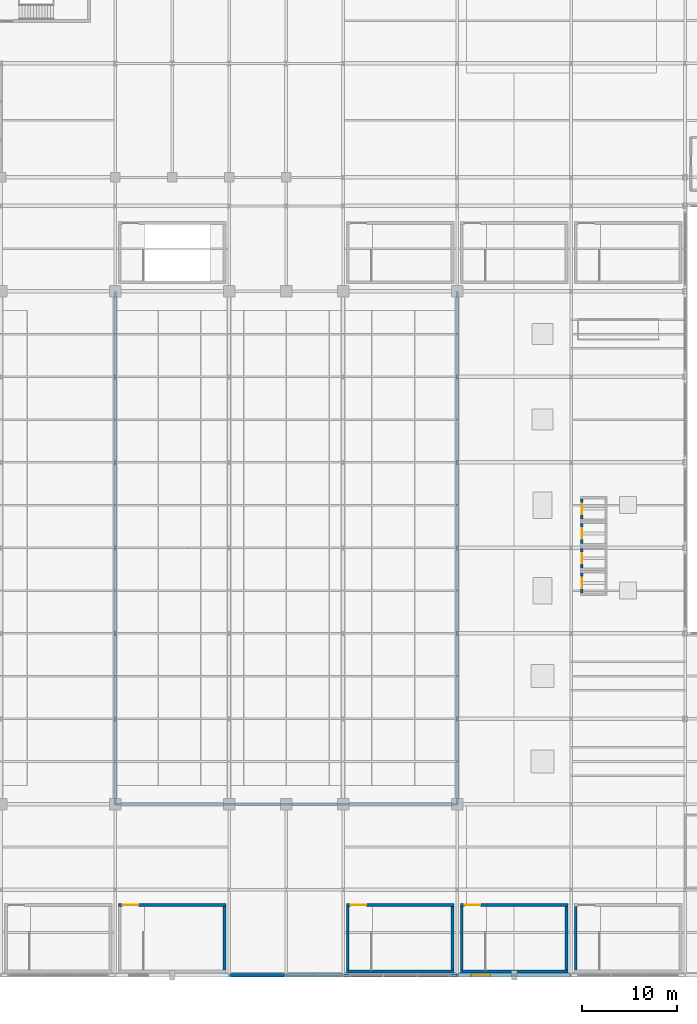
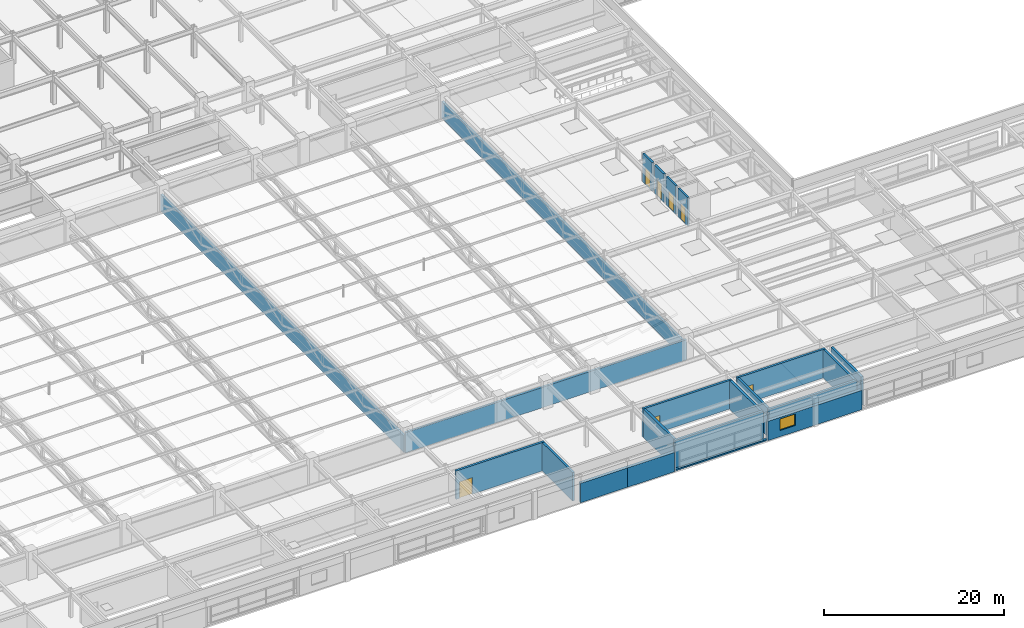
# One storey, part 92 of 108: 22 walls, 7 doors, 1 window, 8 openings.
"""IFC4 building model written with IfcOpenShell, lengths in metres."""

from ifc_helpers import new_model, si_unit, direction, frame, frame_2d, origin, place, context, subcontext, project, spatial, rectangle, extrude, material, layer, layer_set, type_object, element, fill, save


model = new_model("IFC4")

# Units and contexts
model_context = context("Model", 3, precision=1e-05, world=origin(), true_north=direction((0.0, 1.0)))
body_context = subcontext(model_context, "Body", "Model", "MODEL_VIEW")
ifc_project = project(units=[si_unit("LENGTHUNIT", "METRE"), si_unit("AREAUNIT", "SQUARE_METRE"), si_unit("VOLUMEUNIT", "CUBIC_METRE"), si_unit("PLANEANGLEUNIT", "RADIAN"), si_unit("MASSUNIT", "GRAM", prefix="KILO")], contexts=[model_context])

# Site, building, storey
site_placement = place(None, origin())
site = spatial("IfcSite", under=ifc_project, at=site_placement, CompositionType="ELEMENT")
building_placement = place(site_placement, origin())
building = spatial("IfcBuilding", under=site, at=building_placement, Name="Kaldorvane Square Convention Centre", CompositionType="ELEMENT")
storey_placement = place(building_placement, frame((0.0, 0.0, 23.399993896484375)))
storey = spatial("IfcBuildingStorey", under=building, at=storey_placement, Name="L04", CompositionType="ELEMENT", Elevation=23.399993896484375)

# Walls
ifc_material_1 = material(Name="Reinforced Concrete Masonry Acoustic Partition", Category="masonry")
ifc_layer_1 = layer(ifc_material_1, 0.279998779296875)
ifc_layer_set_1 = layer_set([ifc_layer_1], Name="Reinforced Concrete Masonry Acoustic Partition")
wall_type_1 = type_object("IfcWallType", Name="WL-ACO-280", PredefinedType="PARTITIONING", material=ifc_layer_set_1)
wall_1_placement = place(storey_placement, frame((78.0, 18.0, 0.0), z_axis=(0.0, 0.0, 1.0), x_axis=(0.0, 1.0, 0.0)))
element("IfcWall", 1, at=wall_1_placement, inside=storey, type_object=wall_type_1, Name="Upper Hall Acoustic Enclosure BM (L04)", PredefinedType="PARTITIONING", context=body_context, shape_type="SweptSolid", body=[
    extrude(rectangle(XDim=54.0, YDim=0.279998779296875, at=frame_2d((27.0, 0.0))), origin(), (0.0, 0.0, 1.0), 2.259002685546875),
])
wall_2_placement = place(storey_placement, frame((78.0, 18.0, 0.0), z_axis=(0.0, 0.0, 1.0), x_axis=(1.0, 0.0, 0.0)))
element("IfcWall", 2, at=wall_2_placement, inside=storey, type_object=wall_type_1, Name="Upper Hall Acoustic Enclosure PS (L04)", PredefinedType="PARTITIONING", context=body_context, shape_type="SweptSolid", body=[
    extrude(rectangle(XDim=36.0, YDim=0.279998779296875, at=frame_2d((18.0, 0.0))), origin(), (0.0, 0.0, 1.0), 2.7519989013671875),
])
wall_3_placement = place(storey_placement, frame((114.0, 18.0, 0.0), z_axis=(0.0, 0.0, 1.0), x_axis=(0.0, 1.0, 0.0)))
element("IfcWall", 3, at=wall_3_placement, inside=storey, type_object=wall_type_1, Name="Upper Hall Acoustic Enclosure PE (L04)", PredefinedType="PARTITIONING", context=body_context, shape_type="SweptSolid", body=[
    extrude(rectangle(XDim=54.0, YDim=0.279998779296875, at=frame_2d((27.0, 0.0))), origin(), (0.0, 0.0, 1.0), 2.259002685546875),
])
ifc_material_2 = material(Name="Concrete f'c = 42 MPa (Normalweight)", Category="concrete")
ifc_layer_2 = layer(ifc_material_2, 0.3800048828125)
ifc_layer_set_2 = layer_set([ifc_layer_2], Name="Concrete f'c = 42 MPa (Normalweight)")
wall_type_2 = type_object("IfcWallType", Name="WL-EXT-380", PredefinedType="STANDARD", material=ifc_layer_set_2)
for number, where, z_axis, x_axis, name in (
    (4, (90.0, 0.0, 0.0), (0.0, 0.0, 1.0), (1.0, 0.0, 0.0), "South Square Brutalist Facade Wall (L04)"),
    (5, (96.0, 0.0, 0.0), (0.0, 0.0, 1.0), (1.0, 0.0, 0.0), "South Square Brutalist Facade Wall (L04)"),
):
    element("IfcWall", number, at=place(storey_placement, frame(where, z_axis=z_axis, x_axis=x_axis)), inside=storey, type_object=wall_type_2, Name=name, PredefinedType="STANDARD", context=body_context, shape_type="SweptSolid", body=[
        extrude(rectangle(XDim=6.0, YDim=0.3800048828125, at=frame_2d((3.0, 0.0))), origin(), (0.0, 0.0, 1.0), 2.626007080078125),
    ])

# Wall, opening, window
wall_4_placement = place(storey_placement, frame((114.0, 0.0, 0.0), z_axis=(0.0, 0.0, 1.0), x_axis=(1.0, 0.0, 0.0)))
wall_4 = element("IfcWall", 6, at=wall_4_placement, inside=storey, type_object=wall_type_2, Name="South Square Brutalist Facade Wall (L04)", PredefinedType="STANDARD", context=body_context, shape_type="SweptSolid", body=[
    extrude(rectangle(XDim=12.0, YDim=0.3800048828125, at=frame_2d((6.0, 0.0))), origin(), (0.0, 0.0, 1.0), 2.626007080078125),
])
opening_1_placement = place(wall_4_placement, frame((1.5, 0.0, 0.850006103515625)))
opening_1 = element("IfcOpeningElement", 7, at=opening_1_placement, cuts=wall_4, Name="Opening W-21", PredefinedType="OPENING", context=body_context, shape_type="SweptSolid", body=[
    extrude(rectangle(XDim=2.0, YDim=1.55999755859375, at=frame_2d((1.0, 0.779998779296875))), frame((0.0, 0.2050018310546875, 0.0), z_axis=(0.0, -1.0, 0.0), x_axis=(1.0, 0.0, 0.0)), (0.0, 0.0, 1.0), 0.410003662109375),
])
ifc_material_3 = material(Name="Anodized Aluminum and Low-E Insulated Glazing", Category="aluminium")
window_type = type_object("IfcWindowType", Name="WN-POD-2000X1850", PartitioningType="DOUBLE_PANEL_VERTICAL", PredefinedType="WINDOW", material=ifc_material_3)
window_placement = place(opening_1_placement, origin())
window = element("IfcWindow", 8, at=window_placement, inside=storey, type_object=window_type, Name="South Facade Window (L04)", OverallHeight=1.55999755859375, OverallWidth=2.0, PartitioningType="DOUBLE_PANEL_VERTICAL", PredefinedType="WINDOW", context=body_context, shape_type="SweptSolid", body=[
    extrude(rectangle(XDim=2.0, YDim=1.55999755859375, at=frame_2d((1.0, 0.779998779296875))), frame((0.0, 0.029998779296875, 0.0), z_axis=(0.0, -1.0, 0.0), x_axis=(1.0, 0.0, 0.0)), (0.0, 0.0, 1.0), 0.05999755859375),
])
fill(opening_1, window)

# Wall
ifc_material_4 = material(Name="Concrete f'c = 35 MPa (Normalweight)", Category="concrete")
ifc_layer_3 = layer(ifc_material_4, 0.279998779296875)
ifc_layer_set_3 = layer_set([ifc_layer_3], Name="Concrete f'c = 35 MPa (Normalweight)")
wall_type_3 = type_object("IfcWallType", Name="WL-PAR-280", PredefinedType="PARAPET", material=ifc_layer_set_3)
wall_5_placement = place(storey_placement, frame((102.0, 0.0, 0.0), z_axis=(0.0, 0.0, 1.0), x_axis=(1.0, 0.0, 0.0)))
element("IfcWall", 9, at=wall_5_placement, inside=storey, type_object=wall_type_3, Name="Curtain-Wall Sill Kerb (L04)", PredefinedType="PARAPET", context=body_context, shape_type="SweptSolid", body=[
    extrude(rectangle(XDim=12.0, YDim=0.279998779296875, at=frame_2d((6.0, 0.0))), origin(), (0.0, 0.0, 1.0), 0.20001220703125),
])

# Wall, opening, door
ifc_material_5 = material(Name="Concrete f'c = 55 MPa (Normalweight)", Category="concrete")
ifc_layer_4 = layer(ifc_material_5, 0.3000030517578125)
ifc_layer_set_4 = layer_set([ifc_layer_4], Name="Concrete f'c = 55 MPa (Normalweight)")
wall_type_4 = type_object("IfcWallType", Name="WL-SHAFT-300", PredefinedType="SHEAR", material=ifc_layer_set_4)
wall_6_placement = place(storey_placement, frame((89.66000366210938, 7.410003662109375, 0.0), z_axis=(0.0, 0.0, 1.0), x_axis=(-1.0, 0.0, 0.0)))
wall_6 = element("IfcWall", 10, at=wall_6_placement, inside=storey, type_object=wall_type_4, Name="Core Enclosure Wall stair:ST-C7-N (L04)", PredefinedType="SHEAR", context=body_context, shape_type="SweptSolid", body=[
    extrude(rectangle(XDim=11.32000732421875, YDim=0.3000030517578125, at=frame_2d((5.660003662109375, 0.0))), origin(), (0.0, 0.0, 1.0), 3.850006103515625),
])
opening_2_placement = place(wall_6_placement, frame((9.220001220703125, 0.0, 0.0)))
opening_2 = element("IfcOpeningElement", 11, at=opening_2_placement, cuts=wall_6, Name="Opening FD90-S2", PredefinedType="OPENING", context=body_context, shape_type="SweptSolid", body=[
    extrude(rectangle(XDim=1.649993896484375, YDim=2.25, at=frame_2d((0.8249969482421875, 1.125))), frame((0.0, 0.165008544921875, 0.0), z_axis=(0.0, -1.0, 0.0), x_axis=(1.0, 0.0, 0.0)), (0.0, 0.0, 1.0), 0.3300018310546875),
])
ifc_material_6 = material(Name="Fire-Rated Hollow Metal Steel", Category="steel")
door_type_1 = type_object("IfcDoorType", Name="DR-STAIR-1650", OperationType="DOUBLE_DOOR_SINGLE_SWING", PredefinedType="DOOR", material=ifc_material_6)
door_1_placement = place(opening_2_placement, origin())
door_1 = element("IfcDoor", 12, at=door_1_placement, inside=storey, type_object=door_type_1, Name="Convention Exit Stair C7 Fire Door (L04)", OperationType="DOUBLE_DOOR_SINGLE_SWING", OverallHeight=2.25, OverallWidth=1.649993896484375, PredefinedType="DOOR", context=body_context, shape_type="SweptSolid", body=[
    extrude(rectangle(XDim=1.649993896484375, YDim=2.25, at=frame_2d((0.8249969482421875, 1.125))), frame((0.0, 0.024993896484375, 0.0), z_axis=(0.0, -1.0, 0.0), x_axis=(1.0, 0.0, 0.0)), (0.0, 0.0, 1.0), 0.0500030517578125),
])
fill(opening_2, door_1)

# Walls
wall_7_placement = place(storey_placement, frame((89.50999450683594, 0.5500030517578125, 0.0), z_axis=(0.0, 0.0, 1.0), x_axis=(0.0, 1.0, 0.0)))
element("IfcWall", 13, at=wall_7_placement, inside=storey, type_object=wall_type_4, Name="Core Enclosure Wall stair:ST-C7-E (L04)", PredefinedType="SHEAR", context=body_context, shape_type="SweptSolid", body=[
    extrude(rectangle(XDim=6.709991455078125, YDim=0.3000030517578125, at=frame_2d((3.3549957275390625, 0.0))), origin(), (0.0, 0.0, 1.0), 3.850006103515625),
])
wall_8_placement = place(storey_placement, frame((113.66000366210938, 0.399993896484375, 0.0), z_axis=(0.0, 0.0, 1.0), x_axis=(-1.0, 0.0, 0.0)))
element("IfcWall", 14, at=wall_8_placement, inside=storey, type_object=wall_type_4, Name="Core Enclosure Wall stair:ST-C8-S (L04)", PredefinedType="SHEAR", context=body_context, shape_type="SweptSolid", body=[
    extrude(rectangle(XDim=11.32000732421875, YDim=0.3000030517578125, at=frame_2d((5.660003662109375, 0.0))), origin(), (0.0, 0.0, 1.0), 3.850006103515625),
])

# Wall, opening, door
wall_9_placement = place(storey_placement, frame((113.66000366210938, 7.410003662109375, 0.0), z_axis=(0.0, 0.0, 1.0), x_axis=(-1.0, 0.0, 0.0)))
wall_9 = element("IfcWall", 15, at=wall_9_placement, inside=storey, type_object=wall_type_4, Name="Core Enclosure Wall stair:ST-C8-N (L04)", PredefinedType="SHEAR", context=body_context, shape_type="SweptSolid", body=[
    extrude(rectangle(XDim=11.32000732421875, YDim=0.3000030517578125, at=frame_2d((5.660003662109375, 0.0))), origin(), (0.0, 0.0, 1.0), 3.850006103515625),
])
opening_3_placement = place(wall_9_placement, frame((9.220001220703125, 0.0, 0.0)))
opening_3 = element("IfcOpeningElement", 16, at=opening_3_placement, cuts=wall_9, Name="Opening FD90-S2", PredefinedType="OPENING", context=body_context, shape_type="SweptSolid", body=[
    extrude(rectangle(XDim=1.649993896484375, YDim=2.25, at=frame_2d((0.8249969482421875, 1.125))), frame((0.0, 0.165008544921875, 0.0), z_axis=(0.0, -1.0, 0.0), x_axis=(1.0, 0.0, 0.0)), (0.0, 0.0, 1.0), 0.3300018310546875),
])
door_2_placement = place(opening_3_placement, origin())
door_2 = element("IfcDoor", 17, at=door_2_placement, inside=storey, type_object=door_type_1, Name="Convention Exit Stair C8 Fire Door (L04)", OperationType="DOUBLE_DOOR_SINGLE_SWING", OverallHeight=2.25, OverallWidth=1.649993896484375, PredefinedType="DOOR", context=body_context, shape_type="SweptSolid", body=[
    extrude(rectangle(XDim=1.649993896484375, YDim=2.25, at=frame_2d((0.8249969482421875, 1.125))), frame((0.0, 0.024993896484375, 0.0), z_axis=(0.0, -1.0, 0.0), x_axis=(1.0, 0.0, 0.0)), (0.0, 0.0, 1.0), 0.0500030517578125),
])
fill(opening_3, door_2)

# Walls
for number, where, z_axis, x_axis, name in (
    (18, (102.49000549316406, 7.2599945068359375, 0.0), (0.0, 0.0, 1.0), (0.0, -1.0, 0.0), "Core Enclosure Wall stair:ST-C8-W (L04)"),
    (19, (113.50999450683594, 0.5500030517578125, 0.0), (0.0, 0.0, 1.0), (0.0, 1.0, 0.0), "Core Enclosure Wall stair:ST-C8-E (L04)"),
):
    element("IfcWall", number, at=place(storey_placement, frame(where, z_axis=z_axis, x_axis=x_axis)), inside=storey, type_object=wall_type_4, Name=name, PredefinedType="SHEAR", context=body_context, shape_type="SweptSolid", body=[
        extrude(rectangle(XDim=6.709991455078125, YDim=0.3000030517578125, at=frame_2d((3.3549957275390625, 0.0))), origin(), (0.0, 0.0, 1.0), 3.850006103515625),
    ])
wall_10_placement = place(storey_placement, frame((125.66000366210938, 0.399993896484375, 0.0), z_axis=(0.0, 0.0, 1.0), x_axis=(-1.0, 0.0, 0.0)))
element("IfcWall", 20, at=wall_10_placement, inside=storey, type_object=wall_type_4, Name="Core Enclosure Wall stair:ST-C9-S (L04)", PredefinedType="SHEAR", context=body_context, shape_type="SweptSolid", body=[
    extrude(rectangle(XDim=11.32000732421875, YDim=0.3000030517578125, at=frame_2d((5.660003662109375, 0.0))), origin(), (0.0, 0.0, 1.0), 3.850006103515625),
])

# Wall, opening, door
wall_11_placement = place(storey_placement, frame((125.66000366210938, 7.410003662109375, 0.0), z_axis=(0.0, 0.0, 1.0), x_axis=(-1.0, 0.0, 0.0)))
wall_11 = element("IfcWall", 21, at=wall_11_placement, inside=storey, type_object=wall_type_4, Name="Core Enclosure Wall stair:ST-C9-N (L04)", PredefinedType="SHEAR", context=body_context, shape_type="SweptSolid", body=[
    extrude(rectangle(XDim=11.32000732421875, YDim=0.3000030517578125, at=frame_2d((5.660003662109375, 0.0))), origin(), (0.0, 0.0, 1.0), 3.850006103515625),
])
opening_4_placement = place(wall_11_placement, frame((9.220001220703125, 0.0, 0.0)))
opening_4 = element("IfcOpeningElement", 22, at=opening_4_placement, cuts=wall_11, Name="Opening FD90-S2", PredefinedType="OPENING", context=body_context, shape_type="SweptSolid", body=[
    extrude(rectangle(XDim=1.649993896484375, YDim=2.25, at=frame_2d((0.8249969482421875, 1.125))), frame((0.0, 0.165008544921875, 0.0), z_axis=(0.0, -1.0, 0.0), x_axis=(1.0, 0.0, 0.0)), (0.0, 0.0, 1.0), 0.3300018310546875),
])
door_3_placement = place(opening_4_placement, origin())
door_3 = element("IfcDoor", 23, at=door_3_placement, inside=storey, type_object=door_type_1, Name="Convention Exit Stair C9 Fire Door (L04)", OperationType="DOUBLE_DOOR_SINGLE_SWING", OverallHeight=2.25, OverallWidth=1.649993896484375, PredefinedType="DOOR", context=body_context, shape_type="SweptSolid", body=[
    extrude(rectangle(XDim=1.649993896484375, YDim=2.25, at=frame_2d((0.8249969482421875, 1.125))), frame((0.0, 0.024993896484375, 0.0), z_axis=(0.0, -1.0, 0.0), x_axis=(1.0, 0.0, 0.0)), (0.0, 0.0, 1.0), 0.0500030517578125),
])
fill(opening_4, door_3)

# Walls
for number, where, z_axis, x_axis, name in (
    (24, (114.49000549316406, 7.2599945068359375, 0.0), (0.0, 0.0, 1.0), (0.0, -1.0, 0.0), "Core Enclosure Wall stair:ST-C9-W (L04)"),
    (25, (125.50999450683594, 0.5500030517578125, 0.0), (0.0, 0.0, 1.0), (0.0, 1.0, 0.0), "Core Enclosure Wall stair:ST-C9-E (L04)"),
    (26, (126.49000549316406, 7.2599945068359375, 0.0), (0.0, 0.0, 1.0), (0.0, -1.0, 0.0), "Core Enclosure Wall stair:ST-C10-W (L04)"),
):
    element("IfcWall", number, at=place(storey_placement, frame(where, z_axis=z_axis, x_axis=x_axis)), inside=storey, type_object=wall_type_4, Name=name, PredefinedType="SHEAR", context=body_context, shape_type="SweptSolid", body=[
        extrude(rectangle(XDim=6.709991455078125, YDim=0.3000030517578125, at=frame_2d((3.3549957275390625, 0.0))), origin(), (0.0, 0.0, 1.0), 3.850006103515625),
    ])

# Wall, opening, door
wall_12_placement = place(storey_placement, frame((127.125, 42.350006103515625, 0.0), z_axis=(0.0, 0.0, 1.0), x_axis=(0.0, -1.0, 0.0)))
wall_12 = element("IfcWall", 27, at=wall_12_placement, inside=storey, type_object=wall_type_4, Name="Core Enclosure Wall lift:EL-C1-W (L04)", PredefinedType="SHEAR", context=body_context, shape_type="SweptSolid", body=[
    extrude(rectangle(XDim=2.100006103515625, YDim=0.25, at=frame_2d((1.0500030517578125, 0.0))), origin(), (0.0, 0.0, 1.0), 3.850006103515625),
])
opening_5_placement = place(wall_12_placement, frame((0.5, 0.0, 0.0)))
opening_5 = element("IfcOpeningElement", 28, at=opening_5_placement, cuts=wall_12, Name="Opening LD-01", PredefinedType="OPENING", context=body_context, shape_type="SweptSolid", body=[
    extrude(rectangle(XDim=1.100006103515625, YDim=2.1999969482421875, at=frame_2d((0.5500030517578125, 1.100006103515625))), frame((0.0, 0.1399993896484375, 0.0), z_axis=(0.0, -1.0, 0.0), x_axis=(1.0, 0.0, 0.0)), (0.0, 0.0, 1.0), 0.279998779296875),
])
ifc_material_7 = material(Name="Stainless Steel Elevator Door Assembly", Category="steel")
door_type_2 = type_object("IfcDoorType", Name="DR-LIFT-1100", OperationType="DOUBLE_DOOR_SLIDING", PredefinedType="DOOR", material=ifc_material_7)
door_4_placement = place(opening_5_placement, origin())
door_4 = element("IfcDoor", 29, at=door_4_placement, inside=storey, type_object=door_type_2, Name="Elevator Landing Door EL-C1 (L04)", OperationType="DOUBLE_DOOR_SLIDING", OverallHeight=2.1999969482421875, OverallWidth=1.100006103515625, PredefinedType="DOOR", context=body_context, shape_type="SweptSolid", body=[
    extrude(rectangle(XDim=1.100006103515625, YDim=2.1999969482421875, at=frame_2d((0.5500030517578125, 1.100006103515625))), frame((0.0, 0.024993896484375, 0.0), z_axis=(0.0, -1.0, 0.0), x_axis=(1.0, 0.0, 0.0)), (0.0, 0.0, 1.0), 0.0500030517578125),
])
fill(opening_5, door_4)

wall_13_placement = place(storey_placement, frame((127.125, 44.94999694824219, 0.0), z_axis=(0.0, 0.0, 1.0), x_axis=(0.0, -1.0, 0.0)))
wall_13 = element("IfcWall", 30, at=wall_13_placement, inside=storey, type_object=wall_type_4, Name="Core Enclosure Wall lift:EL-C2-W (L04)", PredefinedType="SHEAR", context=body_context, shape_type="SweptSolid", body=[
    extrude(rectangle(XDim=2.0999908447265625, YDim=0.25, at=frame_2d((1.04998779296875, 0.0))), origin(), (0.0, 0.0, 1.0), 3.850006103515625),
])
opening_6_placement = place(wall_13_placement, frame((0.5, 0.0, 0.0)))
opening_6 = element("IfcOpeningElement", 31, at=opening_6_placement, cuts=wall_13, Name="Opening LD-01", PredefinedType="OPENING", context=body_context, shape_type="SweptSolid", body=[
    extrude(rectangle(XDim=1.100006103515625, YDim=2.1999969482421875, at=frame_2d((0.5500030517578125, 1.100006103515625))), frame((0.0, 0.1399993896484375, 0.0), z_axis=(0.0, -1.0, 0.0), x_axis=(1.0, 0.0, 0.0)), (0.0, 0.0, 1.0), 0.279998779296875),
])
door_5_placement = place(opening_6_placement, origin())
door_5 = element("IfcDoor", 32, at=door_5_placement, inside=storey, type_object=door_type_2, Name="Elevator Landing Door EL-C2 (L04)", OperationType="DOUBLE_DOOR_SLIDING", OverallHeight=2.1999969482421875, OverallWidth=1.100006103515625, PredefinedType="DOOR", context=body_context, shape_type="SweptSolid", body=[
    extrude(rectangle(XDim=1.100006103515625, YDim=2.1999969482421875, at=frame_2d((0.5500030517578125, 1.100006103515625))), frame((0.0, 0.024993896484375, 0.0), z_axis=(0.0, -1.0, 0.0), x_axis=(1.0, 0.0, 0.0)), (0.0, 0.0, 1.0), 0.0500030517578125),
])
fill(opening_6, door_5)

wall_14_placement = place(storey_placement, frame((127.125, 47.55000305175781, 0.0), z_axis=(0.0, 0.0, 1.0), x_axis=(0.0, -1.0, 0.0)))
wall_14 = element("IfcWall", 33, at=wall_14_placement, inside=storey, type_object=wall_type_4, Name="Core Enclosure Wall lift:EL-C3-W (L04)", PredefinedType="SHEAR", context=body_context, shape_type="SweptSolid", body=[
    extrude(rectangle(XDim=2.100006103515625, YDim=0.25, at=frame_2d((1.0500030517578125, 0.0))), origin(), (0.0, 0.0, 1.0), 3.850006103515625),
])
opening_7_placement = place(wall_14_placement, frame((0.5, 0.0, 0.0)))
opening_7 = element("IfcOpeningElement", 34, at=opening_7_placement, cuts=wall_14, Name="Opening LD-01", PredefinedType="OPENING", context=body_context, shape_type="SweptSolid", body=[
    extrude(rectangle(XDim=1.100006103515625, YDim=2.1999969482421875, at=frame_2d((0.5500030517578125, 1.100006103515625))), frame((0.0, 0.1399993896484375, 0.0), z_axis=(0.0, -1.0, 0.0), x_axis=(1.0, 0.0, 0.0)), (0.0, 0.0, 1.0), 0.279998779296875),
])
door_6_placement = place(opening_7_placement, origin())
door_6 = element("IfcDoor", 35, at=door_6_placement, inside=storey, type_object=door_type_2, Name="Elevator Landing Door EL-C3 (L04)", OperationType="DOUBLE_DOOR_SLIDING", OverallHeight=2.1999969482421875, OverallWidth=1.100006103515625, PredefinedType="DOOR", context=body_context, shape_type="SweptSolid", body=[
    extrude(rectangle(XDim=1.100006103515625, YDim=2.1999969482421875, at=frame_2d((0.5500030517578125, 1.100006103515625))), frame((0.0, 0.024993896484375, 0.0), z_axis=(0.0, -1.0, 0.0), x_axis=(1.0, 0.0, 0.0)), (0.0, 0.0, 1.0), 0.0500030517578125),
])
fill(opening_7, door_6)

wall_15_placement = place(storey_placement, frame((127.125, 50.149993896484375, 0.0), z_axis=(0.0, 0.0, 1.0), x_axis=(0.0, -1.0, 0.0)))
wall_15 = element("IfcWall", 36, at=wall_15_placement, inside=storey, type_object=wall_type_4, Name="Core Enclosure Wall lift:EL-C4-W (L04)", PredefinedType="SHEAR", context=body_context, shape_type="SweptSolid", body=[
    extrude(rectangle(XDim=2.0999908447265625, YDim=0.25, at=frame_2d((1.04998779296875, 0.0))), origin(), (0.0, 0.0, 1.0), 3.850006103515625),
])
opening_8_placement = place(wall_15_placement, frame((0.5, 0.0, 0.0)))
opening_8 = element("IfcOpeningElement", 37, at=opening_8_placement, cuts=wall_15, Name="Opening LD-01", PredefinedType="OPENING", context=body_context, shape_type="SweptSolid", body=[
    extrude(rectangle(XDim=1.100006103515625, YDim=2.1999969482421875, at=frame_2d((0.5500030517578125, 1.100006103515625))), frame((0.0, 0.1399993896484375, 0.0), z_axis=(0.0, -1.0, 0.0), x_axis=(1.0, 0.0, 0.0)), (0.0, 0.0, 1.0), 0.279998779296875),
])
door_7_placement = place(opening_8_placement, origin())
door_7 = element("IfcDoor", 38, at=door_7_placement, inside=storey, type_object=door_type_2, Name="Elevator Landing Door EL-C4 (L04)", OperationType="DOUBLE_DOOR_SLIDING", OverallHeight=2.1999969482421875, OverallWidth=1.100006103515625, PredefinedType="DOOR", context=body_context, shape_type="SweptSolid", body=[
    extrude(rectangle(XDim=1.100006103515625, YDim=2.1999969482421875, at=frame_2d((0.5500030517578125, 1.100006103515625))), frame((0.0, 0.024993896484375, 0.0), z_axis=(0.0, -1.0, 0.0), x_axis=(1.0, 0.0, 0.0)), (0.0, 0.0, 1.0), 0.0500030517578125),
])
fill(opening_8, door_7)

save(model, "model.ifc")
